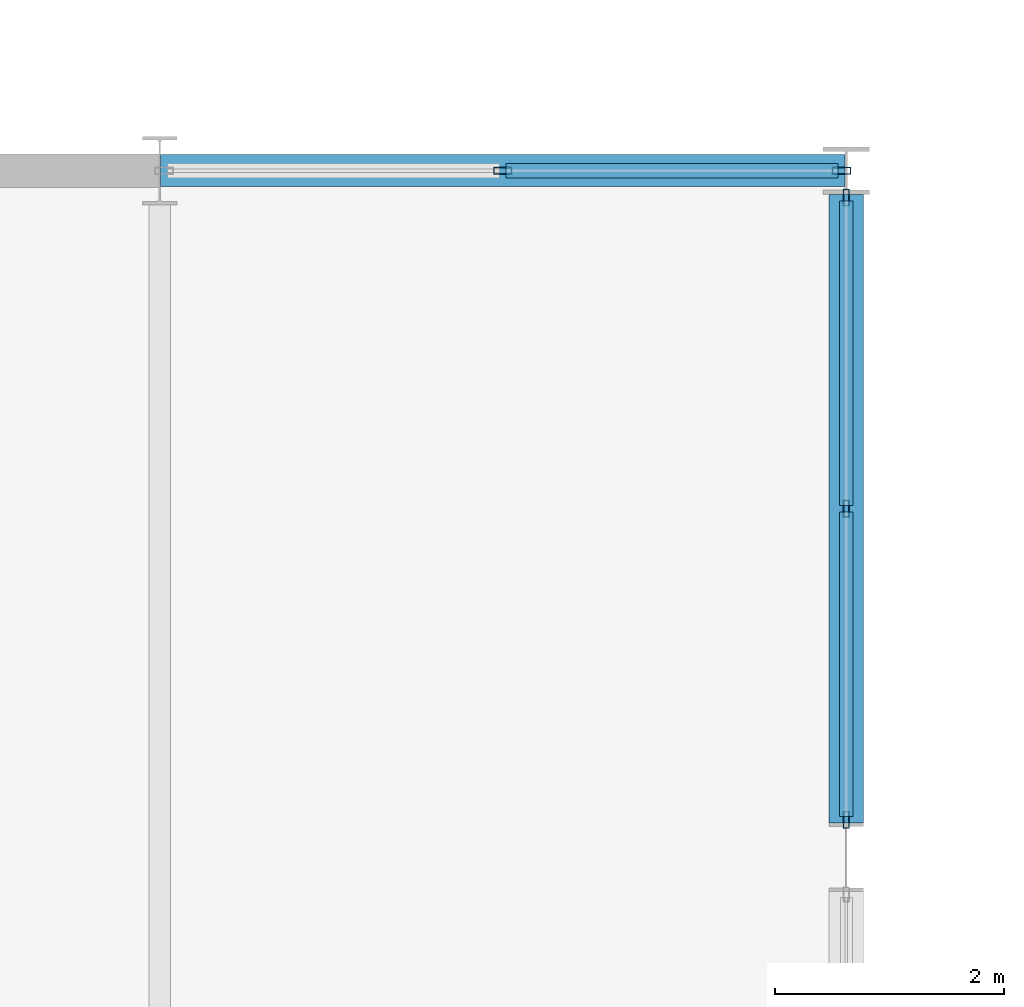
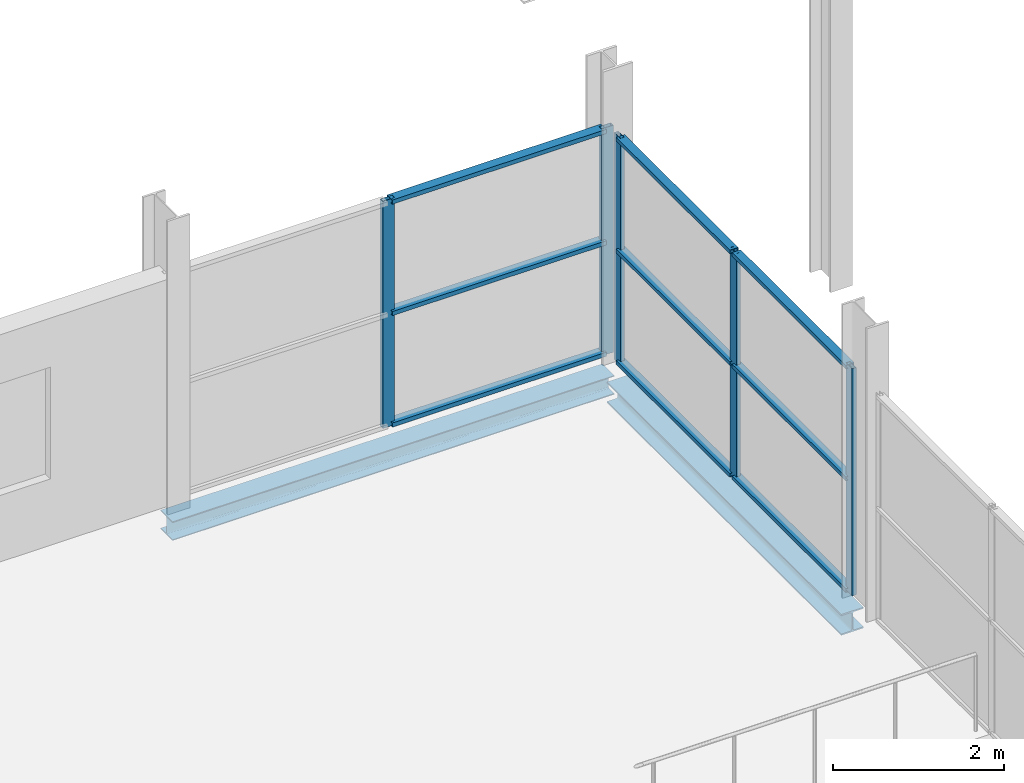
# One storey, part 50 of 135: 14 members, 2 beams, 2 elements without a shape of their own.
"""IFC4 building model written with IfcOpenShell, lengths in metres."""

import ifcopenshell
import ifcopenshell.guid

model = None  # the IFC model being written
_history = None  # IfcOwnerHistory: only IFC2X3 demands one
_inside = {}  # id of a spatial element -> (the spatial element, [elements in it])
_under = {}  # id of a project, library or spatial element -> (it, [spatial elements below it])
_declared = {}  # id of a project -> (the project, [libraries it declares])
_typed = {}  # id of a type object -> (the type object, [elements of that type])
_made_of = {}  # id of a material, layer set ... -> (it, [elements and type objects made of it])


def new_model(schema):
    """Start an empty IFC model of exactly this schema.

    Asked for "IFC4X3", IfcOpenShell would pick the latest addendum, in which some entities
    have other attributes; the version numbers below select the first issue.
    IFC2X3 requires an IfcOwnerHistory on every rooted entity: one is made here for all.
    """
    global model, _history
    if schema == "IFC4X3":
        model = ifcopenshell.file(schema_version=(4, 3, 0, 0))
    else:
        model = ifcopenshell.file(schema=schema)
    _inside.clear()
    _under.clear()
    _declared.clear()
    _typed.clear()
    _made_of.clear()
    _history = None
    if model.schema == "IFC2X3":
        org = make("IfcOrganization", Name="unknown")
        user = make(
            "IfcPersonAndOrganization",
            ThePerson=make("IfcPerson", FamilyName="unknown"),
            TheOrganization=org,
        )
        app = make(
            "IfcApplication",
            ApplicationDeveloper=org,
            Version="unknown",
            ApplicationFullName="unknown",
            ApplicationIdentifier="unknown",
        )
        _history = make(
            "IfcOwnerHistory",
            OwningUser=user,
            OwningApplication=app,
            ChangeAction="ADDED",
            CreationDate=0,
        )
    return model


def make(cls, **values):
    """One entity of the class cls with the attributes given. An attribute that is None is left unset."""
    return model.create_entity(
        cls, **{name: value for name, value in values.items() if value is not None}
    )


def rooted(cls, **values):
    """An entity with a GlobalId (a new one), such as an element, a storey or a relation."""
    return make(cls, GlobalId=ifcopenshell.guid.new(), OwnerHistory=_history, **values)


def si_unit(unit_type, name, prefix=None):
    """IfcSIUnit, for example si_unit("LENGTHUNIT", "METRE", prefix="MILLI")."""
    return make("IfcSIUnit", UnitType=unit_type, Prefix=prefix, Name=name)


def assignment(units):
    """IfcUnitAssignment: the units of a project."""
    return None if units is None else make("IfcUnitAssignment", Units=units)


def point(xyz):
    """IfcCartesianPoint."""
    return None if xyz is None else make("IfcCartesianPoint", Coordinates=xyz)


def direction(xyz):
    """IfcDirection."""
    return None if xyz is None else make("IfcDirection", DirectionRatios=xyz)


def frame(location, z_axis=None, x_axis=None):
    """IfcAxis2Placement3D, a coordinate frame: its origin and axes. An axis left out is left unset."""
    return make(
        "IfcAxis2Placement3D",
        Location=point(location),
        Axis=direction(z_axis),
        RefDirection=direction(x_axis),
    )


def frame_2d(location, x_axis=None):
    """IfcAxis2Placement2D, a coordinate frame in the plane: its origin and x axis."""
    return make(
        "IfcAxis2Placement2D", Location=point(location), RefDirection=direction(x_axis)
    )


def origin():
    """The frame at (0, 0, 0) with its axes left unset."""
    return frame((0.0, 0.0, 0.0))


def origin_2d():
    """The frame at (0, 0) in the plane with its x axis left unset."""
    return frame_2d((0.0, 0.0))


def place(relative_to, where):
    """IfcLocalPlacement: puts the frame where relative to a parent placement (None: the world)."""
    return make(
        "IfcLocalPlacement", PlacementRelTo=relative_to, RelativePlacement=where
    )


def context(
    kind, dimensions, precision=None, world=None, true_north=None, identifier=None
):
    """IfcGeometricRepresentationContext, for example the 3D "Model" context."""
    return make(
        "IfcGeometricRepresentationContext",
        ContextIdentifier=identifier,
        ContextType=kind,
        CoordinateSpaceDimension=dimensions,
        Precision=precision,
        WorldCoordinateSystem=world,
        TrueNorth=true_north,
    )


def subcontext(parent, identifier, kind, view, scale=None):
    """IfcGeometricRepresentationSubContext, for example "Body" below "Model"."""
    return make(
        "IfcGeometricRepresentationSubContext",
        ContextIdentifier=identifier,
        ContextType=kind,
        ParentContext=parent,
        TargetScale=scale,
        TargetView=view,
    )


def project(units=None, contexts=None):
    """IfcProject with its units and contexts."""
    return rooted(
        "IfcProject",
        Name="project",
        RepresentationContexts=contexts,
        UnitsInContext=assignment(units),
    )


def spatial(cls, under=None, at=None, **own):
    """A site, building, storey or space (cls), placed at a placement, below another one or the project."""
    s = rooted(cls, ObjectPlacement=at, **own)
    if under is not None:
        _under.setdefault(under.id(), (under, []))[1].append(s)
    return s


def profile(cls, at=None, kind="AREA", **sizes):
    """A parametric profile (cls). Its sizes go by their IFC names, for example OverallWidth=200.0."""
    return make(cls, ProfileType=kind, Position=at, **sizes)


def hollow_rectangle(**sizes):
    """IfcRectangleHollowProfileDef."""
    return profile("IfcRectangleHollowProfileDef", **sizes)


def i_section(**sizes):
    """IfcIShapeProfileDef."""
    return profile("IfcIShapeProfileDef", **sizes)


def extrude(swept, where, along, depth):
    """IfcExtrudedAreaSolid: the profile swept, set in the frame where, extruded along a direction by depth."""
    return make(
        "IfcExtrudedAreaSolid",
        SweptArea=swept,
        Position=where,
        ExtrudedDirection=direction(along),
        Depth=depth,
    )


def shape(context_of_items, identifier, shape_type, items):
    """IfcShapeRepresentation: the items that make up one representation, for example the "Body"."""
    return make(
        "IfcShapeRepresentation",
        ContextOfItems=context_of_items,
        RepresentationIdentifier=identifier,
        RepresentationType=shape_type,
        Items=items,
    )


def material(Name=None, Category=None):
    """IfcMaterial."""
    return make("IfcMaterial", Name=Name, Category=Category)


def layer(
    of_material, thickness, ventilated=None, Name=None, Category=None, Priority=None
):
    """IfcMaterialLayer: one layer of a wall or slab, of a material (None: an air gap)."""
    return make(
        "IfcMaterialLayer",
        Material=of_material,
        LayerThickness=thickness,
        IsVentilated=ventilated,
        Name=Name,
        Category=Category,
        Priority=Priority,
    )


def layer_set(layers, Name=None):
    """IfcMaterialLayerSet."""
    return make("IfcMaterialLayerSet", MaterialLayers=layers, LayerSetName=Name)


def material_profile(
    of_material, cross_section, Name=None, Category=None, Priority=None
):
    """IfcMaterialProfile: a cross section and its material."""
    return make(
        "IfcMaterialProfile",
        Name=Name,
        Material=of_material,
        Profile=cross_section,
        Priority=Priority,
        Category=Category,
    )


def profile_set(profiles, Name=None, composite=None):
    """IfcMaterialProfileSet."""
    return make(
        "IfcMaterialProfileSet",
        Name=Name,
        MaterialProfiles=profiles,
        CompositeProfile=composite,
    )


def made_of(thing, what):
    """Note that an element or type object is made of a material, layer set ...; save() writes the relation."""
    if what is not None:
        _made_of.setdefault(what.id(), (what, []))[1].append(thing)
    return thing


def type_object(cls, material=None, **own):
    """A type object (cls), such as IfcWallType, which elements share."""
    return made_of(rooted(cls, **own), material)


def element(
    cls,
    number,
    at=None,
    inside=None,
    cuts=None,
    type_object=None,
    material=None,
    context=None,
    identifier="Body",
    shape_type=None,
    held_by="IfcProductDefinitionShape",
    body=None,
    shapes=None,
    **own,
):
    """One element of the class cls, such as IfcWall. Its Tag is "e" and its number.

    at: its placement. inside: the storey or other place that contains it. cuts: it is an
    opening in that element (IfcRelVoidsElement). A single representation is given by context,
    identifier, shape_type and body (its items); several are given by shapes. held_by: the class
    of the entity that holds the representations. save() writes the other relations.
    """
    e = rooted(cls, Tag="e%d" % number, ObjectPlacement=at, **own)
    if body is not None:
        shapes = [shape(context, identifier, shape_type, body)]
    if shapes is not None:
        e.Representation = make(held_by, Representations=shapes)
    if inside is not None:
        _inside.setdefault(inside.id(), (inside, []))[1].append(e)
    if cuts is not None:
        rooted(
            "IfcRelVoidsElement", RelatingBuildingElement=cuts, RelatedOpeningElement=e
        )
    if type_object is not None:
        _typed.setdefault(type_object.id(), (type_object, []))[1].append(e)
    return made_of(e, material)


def aggregate(whole, parts):
    """IfcRelAggregates: a whole, such as a stair, and the parts it consists of."""
    return rooted("IfcRelAggregates", RelatingObject=whole, RelatedObjects=parts)


def save(model, path):
    """Write the relations noted so far, then the file.

    IfcRelAggregates (storeys below a building ...), IfcRelContainedInSpatialStructure (elements
    in a storey), IfcRelDefinesByType, IfcRelAssociatesMaterial and IfcRelDeclares: one each for
    every whole, place, type object, material and project.
    """
    for whole, parts in _under.values():
        aggregate(whole, parts)
    for where, things in _inside.values():
        rooted(
            "IfcRelContainedInSpatialStructure",
            RelatedElements=things,
            RelatingStructure=where,
        )
    for kind, things in _typed.values():
        rooted("IfcRelDefinesByType", RelatedObjects=things, RelatingType=kind)
    for what, things in _made_of.values():
        rooted("IfcRelAssociatesMaterial", RelatedObjects=things, RelatingMaterial=what)
    for by, libraries in _declared.values():
        rooted("IfcRelDeclares", RelatingContext=by, RelatedDefinitions=libraries)
    model.write(path)


model = new_model("IFC4")

# Units and contexts
model_context = context("Model", 3, precision=1e-05, world=origin(), true_north=direction((0.0, 1.0)))
body_context = subcontext(model_context, "Body", "Model", "MODEL_VIEW")
ifc_project = project(units=[si_unit("LENGTHUNIT", "METRE"), si_unit("AREAUNIT", "SQUARE_METRE"), si_unit("VOLUMEUNIT", "CUBIC_METRE"), si_unit("PLANEANGLEUNIT", "RADIAN"), si_unit("MASSUNIT", "GRAM", prefix="KILO")], contexts=[model_context])

# Site, building, storey
site_placement = place(None, origin())
site = spatial("IfcSite", under=ifc_project, at=site_placement, CompositionType="ELEMENT")
building_placement = place(site_placement, origin())
building = spatial("IfcBuilding", under=site, at=building_placement, Name="Deido Ridge Mobility Hub", CompositionType="ELEMENT")
storey_placement = place(building_placement, frame((0.0, 0.0, 4.199951171875)))
storey = spatial("IfcBuildingStorey", under=building, at=storey_placement, Name="L01", CompositionType="ELEMENT", Elevation=4.199951171875)

# Curtain wall, members
ifc_material_1 = material(Name="Anodised aluminium EN AW-6063 T6", Category="aluminium")
ifc_layer_1 = layer(ifc_material_1, 0.195068359375, Name="Anodised aluminium EN AW-6063 T6")
ifc_layer_set_1 = layer_set([ifc_layer_1], Name="Anodised aluminium EN AW-6063 T6")
curtain_wall_type_1 = type_object("IfcCurtainWallType", Name="CW-UF-3", PredefinedType="USERDEFINED", material=ifc_layer_set_1)
curtain_wall_1_placement = place(storey_placement, origin())
curtain_wall_1 = element("IfcCurtainWall", 1, at=curtain_wall_1_placement, inside=storey, type_object=curtain_wall_type_1, Name="Unitised curtain wall CW3", ObjectType="UNITISED FACADE", PredefinedType="USERDEFINED")
ifc_material_profile_1 = material_profile(ifc_material_1, hollow_rectangle(XDim=0.054931640625, YDim=0.14501953125, WallThickness=0.00390625, at=origin_2d()), Name="RHS 55x145x4")
ifc_profile_set_1 = profile_set([ifc_material_profile_1], Name="Anodised aluminium EN AW-6063 T6")
member_type_1 = type_object("IfcMemberType", Name="MEM-MUL-55X145", PredefinedType="MULLION", material=ifc_profile_set_1)
member_1_placement = place(storey_placement, frame((60.0, 30.327392578125, 0.0), z_axis=(0.0, 0.0, 1.0), x_axis=(-1.0, 0.0, 0.0)))
member_1 = element("IfcMember", 2, at=member_1_placement, type_object=member_type_1, Name="CW3 mullion 1", PredefinedType="MULLION", context=body_context, shape_type="SweptSolid", body=[
    extrude(hollow_rectangle(XDim=0.054931640625, YDim=0.14501953125, WallThickness=0.00390625, at=origin_2d()), origin(), (0.0, 0.0, 1.0), 3.25),
])
member_2_placement = place(storey_placement, frame((60.0, 33.0458984375, 0.0), z_axis=(0.0, 0.0, 1.0), x_axis=(-1.0, 0.0, 0.0)))
member_2 = element("IfcMember", 3, at=member_2_placement, type_object=member_type_1, Name="CW3 mullion 2", PredefinedType="MULLION", context=body_context, shape_type="SweptSolid", body=[
    extrude(hollow_rectangle(XDim=0.054931640625, YDim=0.14501953125, WallThickness=0.00390625, at=origin_2d()), origin(), (0.0, 0.0, 1.0), 3.25),
])
member_3_placement = place(storey_placement, frame((60.0, 35.764404296875, 0.0), z_axis=(0.0, 0.0, 1.0), x_axis=(-1.0, 0.0, 0.0)))
member_3 = element("IfcMember", 4, at=member_3_placement, type_object=member_type_1, Name="CW3 mullion 3", PredefinedType="MULLION", context=body_context, shape_type="SweptSolid", body=[
    extrude(hollow_rectangle(XDim=0.054931640625, YDim=0.14501953125, WallThickness=0.00390625, at=origin_2d()), origin(), (0.0, 0.0, 1.0), 3.25),
])

ifc_layer_2 = layer(ifc_material_1, 0.14404296875, Name="Anodised aluminium EN AW-6063 T6")
ifc_layer_set_2 = layer_set([ifc_layer_2], Name="Anodised aluminium EN AW-6063 T6")
curtain_wall_type_2 = type_object("IfcCurtainWallType", Name="CW-GS-2", PredefinedType="USERDEFINED", material=ifc_layer_set_2)
curtain_wall_2_placement = place(storey_placement, origin())
curtain_wall_2 = element("IfcCurtainWall", 5, at=curtain_wall_2_placement, inside=storey, type_object=curtain_wall_type_2, Name="Unitised curtain wall GS2", ObjectType="GLAZED SCREEN", PredefinedType="USERDEFINED")
ifc_material_profile_2 = material_profile(ifc_material_1, hollow_rectangle(XDim=0.06005859375, YDim=0.159912109375, WallThickness=0.00390625, at=origin_2d()), Name="RHS 60x160x4")
ifc_profile_set_2 = profile_set([ifc_material_profile_2], Name="Anodised aluminium EN AW-6063 T6")
member_type_2 = type_object("IfcMemberType", Name="MEM-MUL-60X160", PredefinedType="MULLION", material=ifc_profile_set_2)
member_4_placement = place(storey_placement, frame((56.997802734375, 36.0, 0.0), z_axis=(0.0, 0.0, 1.0), x_axis=(0.0, 1.0, 0.0)))
member_4 = element("IfcMember", 6, at=member_4_placement, type_object=member_type_2, Name="GS2 mullion 2", PredefinedType="MULLION", context=body_context, shape_type="SweptSolid", body=[
    extrude(hollow_rectangle(XDim=0.06005859375, YDim=0.159912109375, WallThickness=0.00390625, at=origin_2d()), origin(), (0.0, 0.0, 1.0), 3.25),
])
member_5_placement = place(storey_placement, frame((59.9580078125, 36.0, 0.0), z_axis=(0.0, 0.0, 1.0), x_axis=(0.0, 1.0, 0.0)))
member_5 = element("IfcMember", 7, at=member_5_placement, type_object=member_type_2, Name="GS2 mullion 3", PredefinedType="MULLION", context=body_context, shape_type="SweptSolid", body=[
    extrude(hollow_rectangle(XDim=0.06005859375, YDim=0.159912109375, WallThickness=0.00390625, at=origin_2d()), origin(), (0.0, 0.0, 1.0), 3.25),
])

# Member
ifc_material_profile_3 = material_profile(ifc_material_1, hollow_rectangle(XDim=0.114990234375, YDim=0.054931640625, WallThickness=0.00390625, at=origin_2d()), Name="RHS 115x55x4")
ifc_profile_set_3 = profile_set([ifc_material_profile_3], Name="Anodised aluminium EN AW-6063 T6")
member_type_3 = type_object("IfcMemberType", Name="MEM-TRN-115X55", PredefinedType="USERDEFINED", material=ifc_profile_set_3)
member_6_placement = place(storey_placement, frame((60.0, 30.35498046875, 0.027587890625), z_axis=(0.0, 1.0, 0.0), x_axis=(-1.0, 0.0, 0.0)))
member_6 = element("IfcMember", 8, at=member_6_placement, type_object=member_type_3, Name="CW3 transom 1.1", ObjectType="TRANSOM", PredefinedType="USERDEFINED", context=body_context, shape_type="SweptSolid", body=[
    extrude(hollow_rectangle(XDim=0.114990234375, YDim=0.054931640625, WallThickness=0.00390625, at=origin_2d()), origin(), (0.0, 0.0, 1.0), 2.66357421875),
])

member_7_placement = place(storey_placement, frame((60.0, 30.35498046875, 1.625), z_axis=(0.0, 1.0, 0.0), x_axis=(-1.0, 0.0, 0.0)))
member_7 = element("IfcMember", 9, at=member_7_placement, type_object=member_type_3, Name="CW3 transom 1.2", ObjectType="TRANSOM", PredefinedType="USERDEFINED", context=body_context, shape_type="SweptSolid", body=[
    extrude(hollow_rectangle(XDim=0.114990234375, YDim=0.054931640625, WallThickness=0.00390625, at=origin_2d()), origin(), (0.0, 0.0, 1.0), 2.66357421875),
])

member_8_placement = place(storey_placement, frame((60.0, 30.35498046875, 3.22265625), z_axis=(0.0, 1.0, 0.0), x_axis=(-1.0, 0.0, 0.0)))
member_8 = element("IfcMember", 10, at=member_8_placement, type_object=member_type_3, Name="CW3 transom 1.3", ObjectType="TRANSOM", PredefinedType="USERDEFINED", context=body_context, shape_type="SweptSolid", body=[
    extrude(hollow_rectangle(XDim=0.114990234375, YDim=0.054931640625, WallThickness=0.00390625, at=origin_2d()), origin(), (0.0, 0.0, 1.0), 2.66357421875),
])

member_9_placement = place(storey_placement, frame((60.0, 33.073486328125, 0.027587890625), z_axis=(0.0, 1.0, 0.0), x_axis=(-1.0, 0.0, 0.0)))
member_9 = element("IfcMember", 11, at=member_9_placement, type_object=member_type_3, Name="CW3 transom 2.1", ObjectType="TRANSOM", PredefinedType="USERDEFINED", context=body_context, shape_type="SweptSolid", body=[
    extrude(hollow_rectangle(XDim=0.114990234375, YDim=0.054931640625, WallThickness=0.00390625, at=origin_2d()), origin(), (0.0, 0.0, 1.0), 2.66357421875),
])

member_10_placement = place(storey_placement, frame((60.0, 33.073486328125, 1.625), z_axis=(0.0, 1.0, 0.0), x_axis=(-1.0, 0.0, 0.0)))
member_10 = element("IfcMember", 12, at=member_10_placement, type_object=member_type_3, Name="CW3 transom 2.2", ObjectType="TRANSOM", PredefinedType="USERDEFINED", context=body_context, shape_type="SweptSolid", body=[
    extrude(hollow_rectangle(XDim=0.114990234375, YDim=0.054931640625, WallThickness=0.00390625, at=origin_2d()), origin(), (0.0, 0.0, 1.0), 2.66357421875),
])

member_11_placement = place(storey_placement, frame((60.0, 33.073486328125, 3.22265625), z_axis=(0.0, 1.0, 0.0), x_axis=(-1.0, 0.0, 0.0)))
member_11 = element("IfcMember", 13, at=member_11_placement, type_object=member_type_3, Name="CW3 transom 2.3", ObjectType="TRANSOM", PredefinedType="USERDEFINED", context=body_context, shape_type="SweptSolid", body=[
    extrude(hollow_rectangle(XDim=0.114990234375, YDim=0.054931640625, WallThickness=0.00390625, at=origin_2d()), origin(), (0.0, 0.0, 1.0), 2.66357421875),
])

aggregate(curtain_wall_1, [member_1, member_2, member_3, member_6, member_7, member_8, member_9, member_10, member_11])

ifc_material_profile_4 = material_profile(ifc_material_1, hollow_rectangle(XDim=0.125, YDim=0.06005859375, WallThickness=0.00390625, at=origin_2d()), Name="RHS 125x60x4")
ifc_profile_set_4 = profile_set([ifc_material_profile_4], Name="Anodised aluminium EN AW-6063 T6")
member_type_4 = type_object("IfcMemberType", Name="MEM-TRN-125X60", PredefinedType="USERDEFINED", material=ifc_profile_set_4)
member_12_placement = place(storey_placement, frame((57.02783203125, 36.0, 0.030029296875), z_axis=(1.0, 0.0, 0.0), x_axis=(0.0, 1.0, 0.0)))
member_12 = element("IfcMember", 14, at=member_12_placement, type_object=member_type_4, Name="GS2 transom 2.1", ObjectType="TRANSOM", PredefinedType="USERDEFINED", context=body_context, shape_type="SweptSolid", body=[
    extrude(hollow_rectangle(XDim=0.125, YDim=0.06005859375, WallThickness=0.00390625, at=origin_2d()), origin(), (0.0, 0.0, 1.0), 2.900146484375),
])

member_13_placement = place(storey_placement, frame((57.02783203125, 36.0, 1.625), z_axis=(1.0, 0.0, 0.0), x_axis=(0.0, 1.0, 0.0)))
member_13 = element("IfcMember", 15, at=member_13_placement, type_object=member_type_4, Name="GS2 transom 2.2", ObjectType="TRANSOM", PredefinedType="USERDEFINED", context=body_context, shape_type="SweptSolid", body=[
    extrude(hollow_rectangle(XDim=0.125, YDim=0.06005859375, WallThickness=0.00390625, at=origin_2d()), origin(), (0.0, 0.0, 1.0), 2.900146484375),
])

member_14_placement = place(storey_placement, frame((57.02783203125, 36.0, 3.219970703125), z_axis=(1.0, 0.0, 0.0), x_axis=(0.0, 1.0, 0.0)))
member_14 = element("IfcMember", 16, at=member_14_placement, type_object=member_type_4, Name="GS2 transom 2.3", ObjectType="TRANSOM", PredefinedType="USERDEFINED", context=body_context, shape_type="SweptSolid", body=[
    extrude(hollow_rectangle(XDim=0.125, YDim=0.06005859375, WallThickness=0.00390625, at=origin_2d()), origin(), (0.0, 0.0, 1.0), 2.900146484375),
])

aggregate(curtain_wall_2, [member_4, member_5, member_12, member_13, member_14])

# Beams
ifc_material_2 = material(Name="Steel S355J2 EN 10025-2", Category="steel")
ifc_material_profile_5 = material_profile(ifc_material_2, i_section(OverallWidth=0.280029296875, OverallDepth=0.27001953125, WebThickness=0.008056640625, FlangeThickness=0.012939453125, FilletRadius=0.02392578125, at=origin_2d()), Name="HEA 280")
ifc_profile_set_5 = profile_set([ifc_material_profile_5], Name="Steel S355J2 EN 10025-2")
beam_type_1 = type_object("IfcBeamType", Name="SPD-HEA280", PredefinedType="SPANDREL", material=ifc_profile_set_5)
beam_1_placement = place(storey_placement, frame((54.0078125, 36.0, -0.385009765625), z_axis=(1.0, 0.0, 0.0), x_axis=(0.0, 1.0, 0.0)))
element("IfcBeam", 17, at=beam_1_placement, inside=storey, type_object=beam_type_1, Name="Floor beam SP2", PredefinedType="SPANDREL", context=body_context, shape_type="SweptSolid", body=[
    extrude(i_section(OverallWidth=0.280029296875, OverallDepth=0.27001953125, WebThickness=0.008056640625, FlangeThickness=0.012939453125, FilletRadius=0.02392578125, at=origin_2d()), origin(), (0.0, 0.0, 1.0), 5.980224609375),
])
ifc_material_profile_6 = material_profile(ifc_material_2, i_section(OverallWidth=0.300048828125, OverallDepth=0.300048828125, WebThickness=0.010986328125, FlangeThickness=0.01904296875, FilletRadius=0.027099609375, at=origin_2d()), Name="HEB 300")
ifc_profile_set_6 = profile_set([ifc_material_profile_6], Name="Steel S355J2 EN 10025-2")
beam_type_2 = type_object("IfcBeamType", Name="SPD-HEB300", PredefinedType="SPANDREL", material=ifc_profile_set_6)
beam_2_placement = place(storey_placement, frame((60.0, 30.300048828125, -0.39990234375), z_axis=(0.0, 1.0, 0.0), x_axis=(-1.0, 0.0, 0.0)))
element("IfcBeam", 18, at=beam_2_placement, inside=storey, type_object=beam_type_2, Name="Floor beam SP1", PredefinedType="SPANDREL", context=body_context, shape_type="SweptSolid", body=[
    extrude(i_section(OverallWidth=0.300048828125, OverallDepth=0.300048828125, WebThickness=0.010986328125, FlangeThickness=0.01904296875, FilletRadius=0.027099609375, at=origin_2d()), origin(), (0.0, 0.0, 1.0), 5.491943359375),
])

save(model, "model.ifc")
